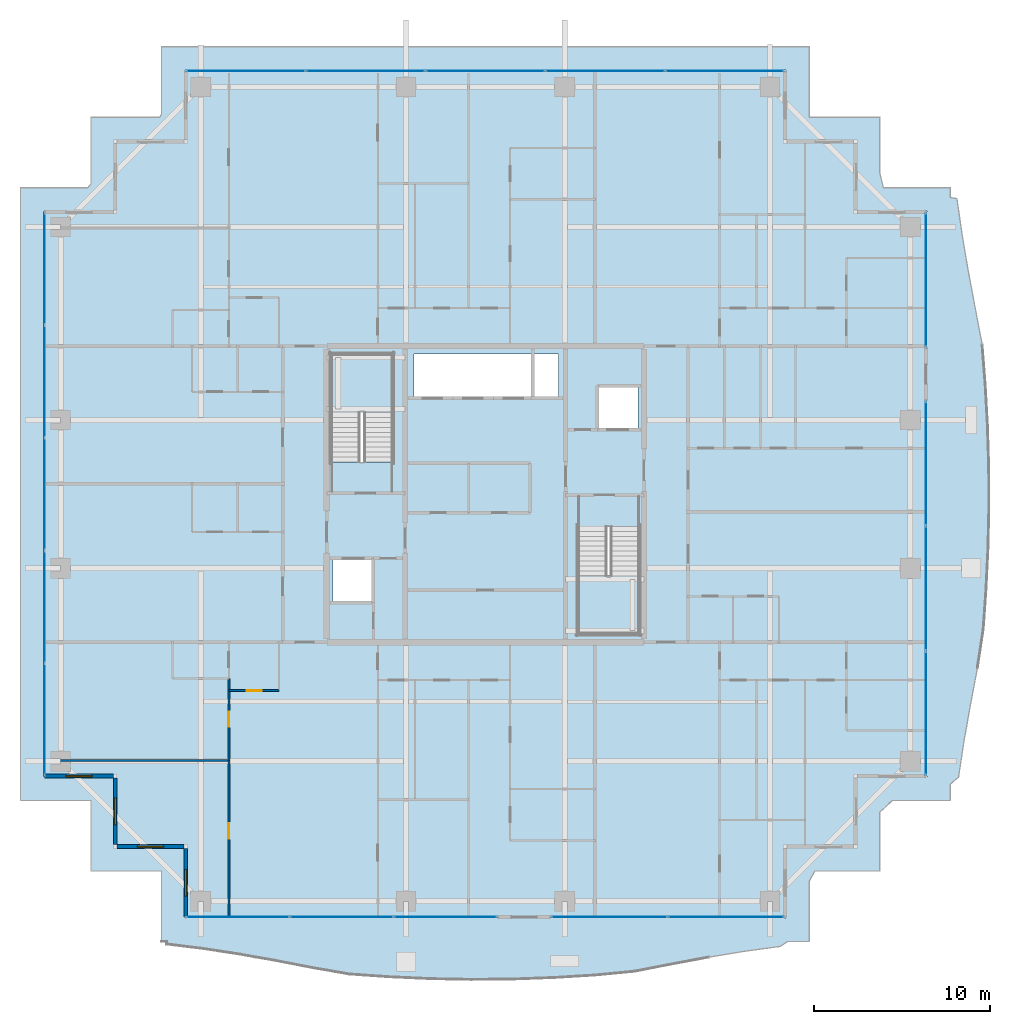
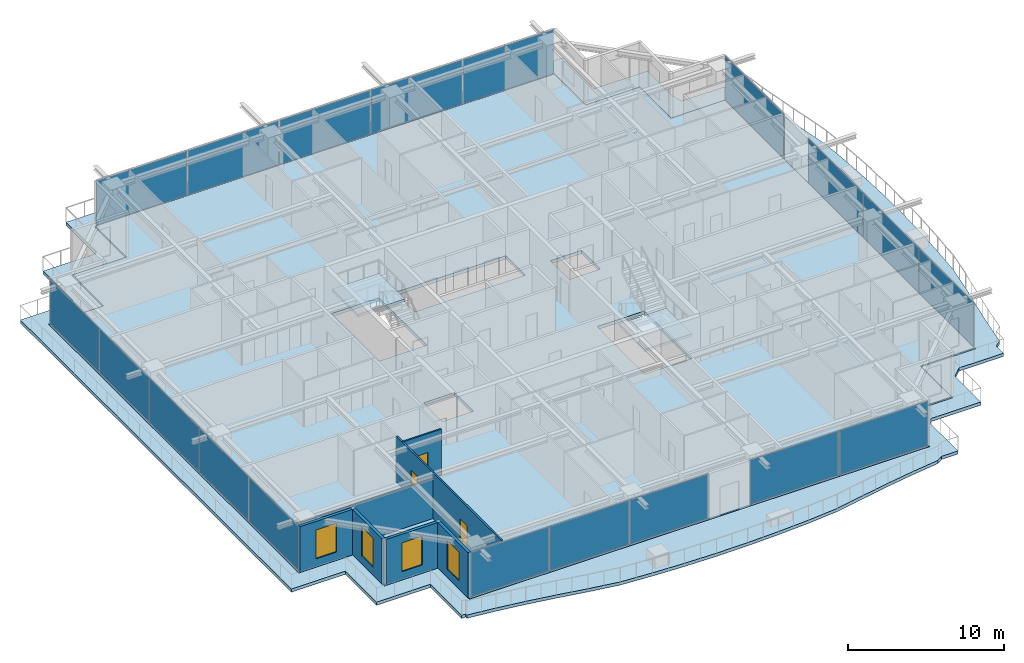
# One storey, part 25 of 38: 19 plates, 8 walls, 4 slabs, 4 windows, 3 doors, 7 openings, 8 elements without a shape of their own.
"""IFC4 building model written with IfcOpenShell, lengths in metres."""

from ifc_helpers import new_model, si_unit, direction, frame, frame_2d, origin, origin_2d, place, context, subcontext, project, spatial, polyline, rectangle, outline, extrude, source, transform, mapped, material, layer, layer_set, type_object, element, fill, aggregate, save


model = new_model("IFC4")

# Units and contexts
model_context = context("Model", 3, precision=1e-05, world=origin(), true_north=direction((0.0, 1.0)))
body_context = subcontext(model_context, "Body", "Model", "MODEL_VIEW")
ifc_project = project(units=[si_unit("LENGTHUNIT", "METRE"), si_unit("AREAUNIT", "SQUARE_METRE"), si_unit("VOLUMEUNIT", "CUBIC_METRE"), si_unit("PLANEANGLEUNIT", "RADIAN"), si_unit("MASSUNIT", "GRAM", prefix="KILO")], contexts=[model_context])

# Site, building, storey
site_placement = place(None, origin())
site = spatial("IfcSite", under=ifc_project, at=site_placement, CompositionType="ELEMENT")
building_placement = place(site_placement, origin())
building = spatial("IfcBuilding", under=site, at=building_placement, Name="Serunith Strait Residences", CompositionType="ELEMENT")
storey_placement = place(building_placement, frame((0.0, 0.0, 245.10009765625)))
storey = spatial("IfcBuildingStorey", under=building, at=storey_placement, Name="L61", CompositionType="ELEMENT", Elevation=245.10009765625)

# Slab
ifc_material_1 = material(Name="Concrete C50/60", Category="concrete")
ifc_layer_1 = layer(ifc_material_1, 0.239990234375, Name="Concrete C50/60")
ifc_layer_set_1 = layer_set([ifc_layer_1], Name="Concrete C50/60")
slab_type_1 = type_object("IfcSlabType", Name="SLB-BALC-240", PredefinedType="FLOOR", material=ifc_layer_set_1)
slab_1_placement = place(storey_placement, frame((0.0, 0.0, -0.2900390625)))
element("IfcSlab", 1, at=slab_1_placement, inside=storey, type_object=slab_type_1, Name="L61 Planted Vertical-Forest Balcony Slab", PredefinedType="FLOOR", context=body_context, shape_type="SweptSolid", body=[
    extrude(outline(polyline([(14.02001953125, -0.179931640625), (14.02001953125, 3.820068359375), (10.02001953125, 3.820068359375), (10.02001953125, 7.820068359375), (6.02001953125, 7.820068359375), (6.02001953125, 42.580078125), (9.824951171875, 42.580078125), (10.02001953125, 42.802001953125), (10.02001953125, 46.580078125), (13.9189453125, 46.580078125), (14.02001953125, 46.734619140625), (14.02001953125, 50.580078125), (50.780029296875, 50.580078125), (50.780029296875, 46.580078125), (54.780029296875, 46.580078125), (54.780029296875, 43.400390625), (54.9814453125, 42.580078125), (58.780029296875, 42.580078125), (58.780029296875, 42.027099609375), (59.15234375, 41.96484375), (59.443359375, 39.938720703125), (59.789794921875, 37.890625), (60.180908203125, 35.802978515625), (60.59130859375, 33.657470703125), (60.7666015625, 31.393310546875), (60.893798828125, 29.09423828125), (60.966064453125, 26.77099609375), (60.975830078125, 24.43798828125), (60.922119140625, 22.110107421875), (60.810791015625, 19.802001953125), (60.65234375, 17.52490234375), (60.31591796875, 15.33642578125), (59.914794921875, 13.231201171875), (59.551513671875, 11.171630859375), (59.241943359375, 9.1396484375), (58.780029296875, 8.75048828125), (58.780029296875, 7.820068359375), (55.484375, 7.820068359375), (54.780029296875, 7.163818359375), (54.780029296875, 3.820068359375), (51.093505859375, 3.820068359375), (50.780029296875, 3.254638671875), (50.780029296875, -0.179931640625), (49.54345703125, -0.179931640625), (49.14697265625, -0.455078125), (47.122314453125, -0.733154296875), (45.0791015625, -1.070556640625), (42.9990234375, -1.459716796875), (40.861572265625, -1.876708984375), (38.607421875, -2.09423828125), (36.305419921875, -2.233642578125), (33.9765625, -2.319091796875), (31.635009765625, -2.341552734375), (29.296875, -2.298095703125), (26.978515625, -2.193115234375), (24.6923828125, -2.03662109375), (22.51416015625, -1.659912109375), (20.413818359375, -1.252197265625), (18.35986328125, -0.8876953125), (16.331787109375, -0.58056640625), (14.314208984375, -0.332763671875), (14.315673828125, -0.179931640625), (14.02001953125, -0.179931640625)]), holes=[polyline([(49.455078125, 1.14501953125), (49.455078125, 5.14501953125), (53.455078125, 5.14501953125), (53.455078125, 9.14501953125), (57.455078125, 9.14501953125), (57.455078125, 41.2548828125), (53.455078125, 41.2548828125), (53.455078125, 45.2548828125), (49.455078125, 45.2548828125), (49.455078125, 49.2548828125), (15.344970703125, 49.2548828125), (15.344970703125, 45.2548828125), (11.344970703125, 45.2548828125), (11.344970703125, 41.2548828125), (7.344970703125, 41.2548828125), (7.344970703125, 9.14501953125), (11.344970703125, 9.14501953125), (11.344970703125, 5.14501953125), (15.344970703125, 5.14501953125), (15.344970703125, 1.14501953125), (49.455078125, 1.14501953125)])]), origin(), (0.0, 0.0, 1.0), 0.239990234375),
])

# Stair, slab
stair_type_1 = type_object("IfcStairType", Name="STR-CORE-1", PredefinedType="HALF_TURN_STAIR", material=ifc_material_1)
stair_1_placement = place(storey_placement, origin())
stair_1 = element("IfcStair", 2, at=stair_1_placement, inside=storey, type_object=stair_type_1, Name="L61 Protected Escape Stair ST-1", PredefinedType="HALF_TURN_STAIR")
ifc_layer_2 = layer(ifc_material_1, 0.199951171875, Name="Concrete C50/60")
ifc_layer_set_2 = layer_set([ifc_layer_2], Name="Concrete C50/60")
slab_type_2 = type_object("IfcSlabType", Name="SLB-LAND-200", PredefinedType="LANDING", material=ifc_layer_set_2)
slab_2_placement = place(storey_placement, frame((0.0, 0.0, 1.724853515625)))
slab_2 = element("IfcSlab", 3, at=slab_2_placement, type_object=slab_type_2, Name="ST-1 landing 1", PredefinedType="LANDING", context=body_context, shape_type="SweptSolid", body=[
    extrude(outline(polyline([(27.14990234375, 29.830078125), (27.14990234375, 33.14990234375), (23.64990234375, 33.14990234375), (23.64990234375, 29.830078125), (27.14990234375, 29.830078125)])), origin(), (0.0, 0.0, 1.0), 0.199951171875),
])
aggregate(stair_1, [slab_2])

stair_type_2 = type_object("IfcStairType", Name="STR-CORE-2", PredefinedType="HALF_TURN_STAIR", material=ifc_material_1)
stair_2_placement = place(storey_placement, origin())
stair_2 = element("IfcStair", 4, at=stair_2_placement, inside=storey, type_object=stair_type_2, Name="L61 Protected Escape Stair ST-2", PredefinedType="HALF_TURN_STAIR")
slab_3_placement = place(storey_placement, frame((0.0, 0.0, 1.724853515625)))
slab_3 = element("IfcSlab", 5, at=slab_3_placement, type_object=slab_type_2, Name="ST-2 landing 1", PredefinedType="LANDING", context=body_context, shape_type="SweptSolid", body=[
    extrude(outline(polyline([(37.64990234375, 20.570068359375), (37.64990234375, 17.25), (41.14990234375, 17.25), (41.14990234375, 20.570068359375), (37.64990234375, 20.570068359375)])), origin(), (0.0, 0.0, 1.0), 0.199951171875),
])
aggregate(stair_2, [slab_3])

# Slab
ifc_material_2 = material(Name="Concrete C60/75", Category="concrete")
ifc_layer_3 = layer(ifc_material_2, 0.260009765625, Name="Concrete C60/75")
ifc_layer_set_3 = layer_set([ifc_layer_3], Name="Concrete C60/75")
slab_type_3 = type_object("IfcSlabType", Name="SLB-TWR-275-Z3", PredefinedType="FLOOR", material=ifc_layer_set_3)
slab_4_placement = place(storey_placement, frame((0.0, 0.0, -0.260009765625)))
element("IfcSlab", 6, at=slab_4_placement, inside=storey, type_object=slab_type_3, Name="L61 Structural Floor Plate", PredefinedType="FLOOR", context=body_context, shape_type="SweptSolid", body=[
    extrude(outline(polyline([(15.39990234375, 5.199951171875), (11.39990234375, 5.199951171875), (11.39990234375, 9.199951171875), (7.39990234375, 9.199951171875), (7.39990234375, 41.199951171875), (11.39990234375, 41.199951171875), (11.39990234375, 45.199951171875), (15.39990234375, 45.199951171875), (15.39990234375, 49.199951171875), (49.39990234375, 49.199951171875), (49.39990234375, 45.199951171875), (53.39990234375, 45.199951171875), (53.39990234375, 41.199951171875), (57.39990234375, 41.199951171875), (57.39990234375, 9.199951171875), (53.39990234375, 9.199951171875), (53.39990234375, 5.199951171875), (49.39990234375, 5.199951171875), (49.39990234375, 1.199951171875), (15.39990234375, 1.199951171875), (15.39990234375, 5.199951171875)]), holes=[polyline([(41.14990234375, 23.3701171875), (37.64990234375, 23.3701171875), (37.64990234375, 17.25), (41.14990234375, 17.25), (41.14990234375, 23.3701171875)]), polyline([(38.75, 31.25), (38.75, 28.85009765625), (41.050048828125, 28.85009765625), (41.050048828125, 31.25), (38.75, 31.25)]), polyline([(36.550048828125, 33.14990234375), (28.35009765625, 33.14990234375), (28.35009765625, 30.64990234375), (36.550048828125, 30.64990234375), (36.550048828125, 33.14990234375)]), polyline([(23.64990234375, 33.14990234375), (23.64990234375, 27.030029296875), (27.14990234375, 27.030029296875), (27.14990234375, 33.14990234375), (23.64990234375, 33.14990234375)]), polyline([(23.75, 21.550048828125), (23.75, 19.14990234375), (26.050048828125, 19.14990234375), (26.050048828125, 21.550048828125), (23.75, 21.550048828125)])]), origin(), (0.0, 0.0, 1.0), 0.260009765625),
])

# Curtain wall, plates
ifc_material_3 = material(Name="Pale-Champagne Anodised Aluminium", Category="aluminium")
ifc_layer_4 = layer(ifc_material_3, 0.199951171875, Name="Pale-Champagne Anodised Aluminium")
ifc_layer_set_4 = layer_set([ifc_layer_4], Name="Pale-Champagne Anodised Aluminium")
curtain_wall_type = type_object("IfcCurtainWallType", Name="CW-SYS4", PredefinedType="NOTDEFINED", material=ifc_layer_set_4)
curtain_wall_1_placement = place(storey_placement, origin())
curtain_wall_1 = element("IfcCurtainWall", 7, at=curtain_wall_1_placement, inside=storey, type_object=curtain_wall_type, Name="L61 W Unitised Fritted Curtain Wall", PredefinedType="NOTDEFINED")
ifc_material_4 = material(Name="Ceramic-Printed Solar-Control Glazing 28mm", Category="glass")
ifc_layer_5 = layer(ifc_material_4, 0.028076171875, Name="Ceramic-Printed Solar-Control Glazing 28mm")
ifc_layer_set_5 = layer_set([ifc_layer_5], Name="Ceramic-Printed Solar-Control Glazing 28mm")
plate_type = type_object("IfcPlateType", Name="CW-SYS4-PNL", PredefinedType="CURTAIN_PANEL", material=ifc_layer_set_5)
shared_shape_1 = source(origin(), body_context, "Body", "SweptSolid", [
    extrude(rectangle(XDim=6.302490234375, YDim=0.028076171875, at=origin_2d()), origin(), (0.0, 0.0, 1.0), 3.455078125),
])
plate_1_placement = place(storey_placement, frame((7.39990234375, 37.983642578125, 0.059814453125), z_axis=(0.0, 0.0, 1.0), x_axis=(0.0, -1.0, 0.0)))
plate_1 = element("IfcPlate", 8, at=plate_1_placement, type_object=plate_type, Name="CW-4 panel 1.1", PredefinedType="CURTAIN_PANEL", context=body_context, shape_type="MappedRepresentation", body=[
    mapped(shared_shape_1, transform((0.0, 0.0, 0.0), scale=1.0)),
])
plate_2_placement = place(storey_placement, frame((7.39990234375, 12.416259765625, 0.059814453125), z_axis=(0.0, 0.0, 1.0), x_axis=(0.0, -1.0, 0.0)))
plate_2 = element("IfcPlate", 9, at=plate_2_placement, type_object=plate_type, Name="CW-4 panel 5.1", PredefinedType="CURTAIN_PANEL", context=body_context, shape_type="MappedRepresentation", body=[
    mapped(shared_shape_1, transform((0.0, 0.0, 0.0), scale=1.0)),
])
shared_shape_2 = source(origin(), body_context, "Body", "SweptSolid", [
    extrude(rectangle(XDim=6.3349609375, YDim=0.028076171875, at=origin_2d()), origin(), (0.0, 0.0, 1.0), 3.455078125),
])
plate_3_placement = place(storey_placement, frame((7.39990234375, 31.60009765625, 0.059814453125), z_axis=(0.0, 0.0, 1.0), x_axis=(0.0, -1.0, 0.0)))
plate_3 = element("IfcPlate", 10, at=plate_3_placement, type_object=plate_type, Name="CW-4 panel 2.1", PredefinedType="CURTAIN_PANEL", context=body_context, shape_type="MappedRepresentation", body=[
    mapped(shared_shape_2, transform((0.0, 0.0, 0.0), scale=1.0)),
])
plate_4_placement = place(storey_placement, frame((7.39990234375, 25.199951171875, 0.059814453125), z_axis=(0.0, 0.0, 1.0), x_axis=(0.0, -1.0, 0.0)))
plate_4 = element("IfcPlate", 11, at=plate_4_placement, type_object=plate_type, Name="CW-4 panel 3.1", PredefinedType="CURTAIN_PANEL", context=body_context, shape_type="MappedRepresentation", body=[
    mapped(shared_shape_2, transform((0.0, 0.0, 0.0), scale=1.0)),
])
plate_5_placement = place(storey_placement, frame((7.39990234375, 18.800048828125, 0.059814453125), z_axis=(0.0, 0.0, 1.0), x_axis=(0.0, -1.0, 0.0)))
plate_5 = element("IfcPlate", 12, at=plate_5_placement, type_object=plate_type, Name="CW-4 panel 4.1", PredefinedType="CURTAIN_PANEL", context=body_context, shape_type="MappedRepresentation", body=[
    mapped(shared_shape_2, transform((0.0, 0.0, 0.0), scale=1.0)),
])
aggregate(curtain_wall_1, [plate_1, plate_3, plate_4, plate_5, plate_2])

curtain_wall_2_placement = place(storey_placement, origin())
curtain_wall_2 = element("IfcCurtainWall", 13, at=curtain_wall_2_placement, inside=storey, type_object=curtain_wall_type, Name="L61 N Unitised Fritted Curtain Wall", PredefinedType="NOTDEFINED")
shared_shape_3 = source(origin(), body_context, "Body", "SweptSolid", [
    extrude(rectangle(XDim=6.702392578125, YDim=0.028076171875, at=origin_2d()), origin(), (0.0, 0.0, 1.0), 3.455078125),
])
plate_6_placement = place(storey_placement, frame((45.983642578125, 49.199951171875, 0.059814453125), z_axis=(0.0, 0.0, 1.0), x_axis=(-1.0, 0.0, 0.0)))
plate_6 = element("IfcPlate", 14, at=plate_6_placement, type_object=plate_type, Name="CW-4 panel 1.1", PredefinedType="CURTAIN_PANEL", context=body_context, shape_type="MappedRepresentation", body=[
    mapped(shared_shape_3, transform((0.0, 0.0, 0.0), scale=1.0)),
])
plate_7_placement = place(storey_placement, frame((18.816162109375, 49.199951171875, 0.059814453125), z_axis=(0.0, 0.0, 1.0), x_axis=(-1.0, 0.0, 0.0)))
plate_7 = element("IfcPlate", 15, at=plate_7_placement, type_object=plate_type, Name="CW-4 panel 5.1", PredefinedType="CURTAIN_PANEL", context=body_context, shape_type="MappedRepresentation", body=[
    mapped(shared_shape_3, transform((0.0, 0.0, 0.0), scale=1.0)),
])
shared_shape_4 = source(origin(), body_context, "Body", "SweptSolid", [
    extrude(rectangle(XDim=6.735107421875, YDim=0.028076171875, at=origin_2d()), origin(), (0.0, 0.0, 1.0), 3.455078125),
])
plate_8_placement = place(storey_placement, frame((39.199951171875, 49.199951171875, 0.059814453125), z_axis=(0.0, 0.0, 1.0), x_axis=(-1.0, 0.0, 0.0)))
plate_8 = element("IfcPlate", 16, at=plate_8_placement, type_object=plate_type, Name="CW-4 panel 2.1", PredefinedType="CURTAIN_PANEL", context=body_context, shape_type="MappedRepresentation", body=[
    mapped(shared_shape_4, transform((0.0, 0.0, 0.0), scale=1.0)),
])
plate_9_placement = place(storey_placement, frame((32.39990234375, 49.199951171875, 0.059814453125), z_axis=(0.0, 0.0, 1.0), x_axis=(-1.0, 0.0, 0.0)))
plate_9 = element("IfcPlate", 17, at=plate_9_placement, type_object=plate_type, Name="CW-4 panel 3.1", PredefinedType="CURTAIN_PANEL", context=body_context, shape_type="MappedRepresentation", body=[
    mapped(shared_shape_4, transform((0.0, 0.0, 0.0), scale=1.0)),
])
plate_10_placement = place(storey_placement, frame((25.60009765625, 49.199951171875, 0.059814453125), z_axis=(0.0, 0.0, 1.0), x_axis=(-1.0, 0.0, 0.0)))
plate_10 = element("IfcPlate", 18, at=plate_10_placement, type_object=plate_type, Name="CW-4 panel 4.1", PredefinedType="CURTAIN_PANEL", context=body_context, shape_type="MappedRepresentation", body=[
    mapped(shared_shape_4, transform((0.0, 0.0, 0.0), scale=1.0)),
])
aggregate(curtain_wall_2, [plate_6, plate_8, plate_9, plate_10, plate_7])

curtain_wall_3_placement = place(storey_placement, origin())
curtain_wall_3 = element("IfcCurtainWall", 19, at=curtain_wall_3_placement, inside=storey, type_object=curtain_wall_type, Name="L61 S Unitised Fritted Curtain Wall", PredefinedType="NOTDEFINED")
shared_shape_5 = source(origin(), body_context, "Body", "SweptSolid", [
    extrude(rectangle(XDim=6.552490234375, YDim=0.028076171875, at=origin_2d()), origin(), (0.0, 0.0, 1.0), 3.455078125),
])
plate_11_placement = place(storey_placement, frame((39.441162109375, 1.199951171875, 0.059814453125), z_axis=(0.0, 0.0, 1.0), x_axis=(1.0, 0.0, 0.0)))
plate_11 = element("IfcPlate", 20, at=plate_11_placement, type_object=plate_type, Name="CW-4 panel 1.1", PredefinedType="CURTAIN_PANEL", context=body_context, shape_type="MappedRepresentation", body=[
    mapped(shared_shape_5, transform((0.0, 0.0, 0.0), scale=1.0)),
])
plate_12_placement = place(storey_placement, frame((46.058837890625, 1.199951171875, 0.059814453125), z_axis=(0.0, 0.0, 1.0), x_axis=(1.0, 0.0, 0.0)))
plate_12 = element("IfcPlate", 21, at=plate_12_placement, type_object=plate_type, Name="CW-4 panel 2.1", PredefinedType="CURTAIN_PANEL", context=body_context, shape_type="MappedRepresentation", body=[
    mapped(shared_shape_5, transform((0.0, 0.0, 0.0), scale=1.0)),
])
aggregate(curtain_wall_3, [plate_11, plate_12])

curtain_wall_4_placement = place(storey_placement, origin())
curtain_wall_4 = element("IfcCurtainWall", 22, at=curtain_wall_4_placement, inside=storey, type_object=curtain_wall_type, Name="L61 S Unitised Fritted Curtain Wall", PredefinedType="NOTDEFINED")
shared_shape_6 = source(origin(), body_context, "Body", "SweptSolid", [
    extrude(rectangle(XDim=5.802490234375, YDim=0.028076171875, at=origin_2d()), origin(), (0.0, 0.0, 1.0), 3.455078125),
])
plate_13_placement = place(storey_placement, frame((18.3662109375, 1.199951171875, 0.059814453125), z_axis=(0.0, 0.0, 1.0), x_axis=(1.0, 0.0, 0.0)))
plate_13 = element("IfcPlate", 23, at=plate_13_placement, type_object=plate_type, Name="CW-4 panel 1.1", PredefinedType="CURTAIN_PANEL", context=body_context, shape_type="MappedRepresentation", body=[
    mapped(shared_shape_6, transform((0.0, 0.0, 0.0), scale=1.0)),
])
plate_14_placement = place(storey_placement, frame((30.1337890625, 1.199951171875, 0.059814453125), z_axis=(0.0, 0.0, 1.0), x_axis=(1.0, 0.0, 0.0)))
plate_14 = element("IfcPlate", 24, at=plate_14_placement, type_object=plate_type, Name="CW-4 panel 3.1", PredefinedType="CURTAIN_PANEL", context=body_context, shape_type="MappedRepresentation", body=[
    mapped(shared_shape_6, transform((0.0, 0.0, 0.0), scale=1.0)),
])
shared_shape_7 = source(origin(), body_context, "Body", "SweptSolid", [
    extrude(rectangle(XDim=5.8349609375, YDim=0.028076171875, at=origin_2d()), origin(), (0.0, 0.0, 1.0), 3.455078125),
])
plate_15_placement = place(storey_placement, frame((24.25, 1.199951171875, 0.059814453125), z_axis=(0.0, 0.0, 1.0), x_axis=(1.0, 0.0, 0.0)))
plate_15 = element("IfcPlate", 25, at=plate_15_placement, type_object=plate_type, Name="CW-4 panel 2.1", PredefinedType="CURTAIN_PANEL", context=body_context, shape_type="MappedRepresentation", body=[
    mapped(shared_shape_7, transform((0.0, 0.0, 0.0), scale=1.0)),
])
aggregate(curtain_wall_4, [plate_13, plate_15, plate_14])

curtain_wall_5_placement = place(storey_placement, origin())
curtain_wall_5 = element("IfcCurtainWall", 26, at=curtain_wall_5_placement, inside=storey, type_object=curtain_wall_type, Name="L61 E Unitised Fritted Curtain Wall", PredefinedType="NOTDEFINED")
shared_shape_8 = source(origin(), body_context, "Body", "SweptSolid", [
    extrude(rectangle(XDim=7.00244140625, YDim=0.028076171875, at=origin_2d()), origin(), (0.0, 0.0, 1.0), 3.455078125),
])
plate_16_placement = place(storey_placement, frame((57.39990234375, 12.766357421875, 0.059814453125), z_axis=(0.0, 0.0, 1.0), x_axis=(0.0, 1.0, 0.0)))
plate_16 = element("IfcPlate", 27, at=plate_16_placement, type_object=plate_type, Name="CW-4 panel 1.1", PredefinedType="CURTAIN_PANEL", context=body_context, shape_type="MappedRepresentation", body=[
    mapped(shared_shape_8, transform((0.0, 0.0, 0.0), scale=1.0)),
])
plate_17_placement = place(storey_placement, frame((57.39990234375, 26.933837890625, 0.059814453125), z_axis=(0.0, 0.0, 1.0), x_axis=(0.0, 1.0, 0.0)))
plate_17 = element("IfcPlate", 28, at=plate_17_placement, type_object=plate_type, Name="CW-4 panel 3.1", PredefinedType="CURTAIN_PANEL", context=body_context, shape_type="MappedRepresentation", body=[
    mapped(shared_shape_8, transform((0.0, 0.0, 0.0), scale=1.0)),
])
shared_shape_9 = source(origin(), body_context, "Body", "SweptSolid", [
    extrude(rectangle(XDim=7.034912109375, YDim=0.028076171875, at=origin_2d()), origin(), (0.0, 0.0, 1.0), 3.455078125),
])
plate_18_placement = place(storey_placement, frame((57.39990234375, 19.85009765625, 0.059814453125), z_axis=(0.0, 0.0, 1.0), x_axis=(0.0, 1.0, 0.0)))
plate_18 = element("IfcPlate", 29, at=plate_18_placement, type_object=plate_type, Name="CW-4 panel 2.1", PredefinedType="CURTAIN_PANEL", context=body_context, shape_type="MappedRepresentation", body=[
    mapped(shared_shape_9, transform((0.0, 0.0, 0.0), scale=1.0)),
])
aggregate(curtain_wall_5, [plate_16, plate_18, plate_17])

# Curtain wall, plate
curtain_wall_6_placement = place(storey_placement, origin())
curtain_wall_6 = element("IfcCurtainWall", 30, at=curtain_wall_6_placement, inside=storey, type_object=curtain_wall_type, Name="L61 E Unitised Fritted Curtain Wall", PredefinedType="NOTDEFINED")
shared_shape_10 = source(origin(), body_context, "Body", "SweptSolid", [
    extrude(rectangle(XDim=7.570068359375, YDim=0.028076171875, at=origin_2d()), origin(), (0.0, 0.0, 1.0), 3.455078125),
])
plate_19_placement = place(storey_placement, frame((57.39990234375, 37.35009765625, 0.059814453125), z_axis=(0.0, 0.0, 1.0), x_axis=(0.0, 1.0, 0.0)))
plate_19 = element("IfcPlate", 31, at=plate_19_placement, type_object=plate_type, Name="CW-4 panel 1.1", PredefinedType="CURTAIN_PANEL", context=body_context, shape_type="MappedRepresentation", body=[
    mapped(shared_shape_10, transform((0.0, 0.0, 0.0), scale=1.0)),
])
aggregate(curtain_wall_6, [plate_19])

# Wall, opening, window
ifc_material_5 = material(Name="Pale-Champagne Aluminium Insulated Panel", Category="aluminium")
ifc_layer_6 = layer(ifc_material_5, 0.219970703125, Name="Pale-Champagne Aluminium Insulated Panel")
ifc_layer_set_6 = layer_set([ifc_layer_6], Name="Pale-Champagne Aluminium Insulated Panel")
wall_type_1 = type_object("IfcWallType", Name="EW-ALUM-220", PredefinedType="ELEMENTEDWALL", material=ifc_layer_set_6)
wall_1_placement = place(storey_placement, frame((7.39990234375, 9.199951171875, 0.0), z_axis=(0.0, 0.0, 1.0), x_axis=(1.0, 0.0, 0.0)))
wall_1 = element("IfcWall", 32, at=wall_1_placement, inside=storey, type_object=wall_type_1, Name="L61 Girih Serrated Corner Wall 17", PredefinedType="ELEMENTEDWALL", context=body_context, shape_type="SweptSolid", body=[
    extrude(rectangle(XDim=3.89013671875, YDim=0.219970703125, at=frame_2d((1.945068359375, 0.0))), origin(), (0.0, 0.0, 1.0), 3.574951171875),
])
opening_1_placement = place(wall_1_placement, frame((1.195068359375, 0.0, 0.64990234375)))
opening_1 = element("IfcOpeningElement", 33, at=opening_1_placement, cuts=wall_1, Name="Opening W-05", PredefinedType="OPENING", context=body_context, shape_type="SweptSolid", body=[
    extrude(rectangle(XDim=1.5, YDim=2.25, at=frame_2d((0.75, 1.125))), frame((0.0, 0.1201171875, 0.0), z_axis=(0.0, -1.0, 0.0), x_axis=(1.0, 0.0, 0.0)), (0.0, 0.0, 1.0), 0.239990234375),
])
ifc_material_6 = material(Name="Ceramic-Fritted Operable Aluminium Window Glass", Category="aluminium")
window_type = type_object("IfcWindowType", Name="WIN-C5", PartitioningType="DOUBLE_PANEL_VERTICAL", PredefinedType="WINDOW", material=ifc_material_6)
shared_shape_11 = source(origin(), body_context, "Body", "SweptSolid", [
    extrude(rectangle(XDim=1.5, YDim=2.25, at=frame_2d((0.75, 1.125))), frame((0.0, 0.030029296875, 0.0), z_axis=(0.0, -1.0, 0.0), x_axis=(1.0, 0.0, 0.0)), (0.0, 0.0, 1.0), 0.06005859375),
])
window_1_placement = place(opening_1_placement, origin())
window_1 = element("IfcWindow", 34, at=window_1_placement, inside=storey, type_object=window_type, Name="L61 Corner Operable Fritted Window 17", OverallHeight=2.25, OverallWidth=1.5, PartitioningType="SINGLE_PANEL", PredefinedType="WINDOW", context=body_context, shape_type="MappedRepresentation", body=[
    mapped(shared_shape_11, transform((0.0, 0.0, 0.0), scale=1.0)),
])
fill(opening_1, window_1)

wall_2_placement = place(storey_placement, frame((11.39990234375, 9.090087890625, 0.0), z_axis=(0.0, 0.0, 1.0), x_axis=(0.0, -1.0, 0.0)))
wall_2 = element("IfcWall", 35, at=wall_2_placement, inside=storey, type_object=wall_type_1, Name="L61 Girih Serrated Corner Wall 18", PredefinedType="ELEMENTEDWALL", context=body_context, shape_type="SweptSolid", body=[
    extrude(rectangle(XDim=3.780029296875, YDim=0.219970703125, at=frame_2d((1.89013671875, 0.0))), origin(), (0.0, 0.0, 1.0), 3.574951171875),
])
opening_2_placement = place(wall_2_placement, frame((1.139892578125, 0.0, 0.64990234375)))
opening_2 = element("IfcOpeningElement", 36, at=opening_2_placement, cuts=wall_2, Name="Opening W-05", PredefinedType="OPENING", context=body_context, shape_type="SweptSolid", body=[
    extrude(rectangle(XDim=1.5, YDim=2.25, at=frame_2d((0.75, 1.125))), frame((0.0, 0.1201171875, 0.0), z_axis=(0.0, -1.0, 0.0), x_axis=(1.0, 0.0, 0.0)), (0.0, 0.0, 1.0), 0.239990234375),
])
window_2_placement = place(opening_2_placement, origin())
window_2 = element("IfcWindow", 37, at=window_2_placement, inside=storey, type_object=window_type, Name="L61 Corner Operable Fritted Window 18", OverallHeight=2.25, OverallWidth=1.5, PartitioningType="SINGLE_PANEL", PredefinedType="WINDOW", context=body_context, shape_type="MappedRepresentation", body=[
    mapped(shared_shape_11, transform((0.0, 0.0, 0.0), scale=1.0)),
])
fill(opening_2, window_2)

wall_3_placement = place(storey_placement, frame((11.510009765625, 5.199951171875, 0.0), z_axis=(0.0, 0.0, 1.0), x_axis=(1.0, 0.0, 0.0)))
wall_3 = element("IfcWall", 38, at=wall_3_placement, inside=storey, type_object=wall_type_1, Name="L61 Girih Serrated Corner Wall 19", PredefinedType="ELEMENTEDWALL", context=body_context, shape_type="SweptSolid", body=[
    extrude(rectangle(XDim=3.780029296875, YDim=0.219970703125, at=frame_2d((1.89013671875, 0.0))), origin(), (0.0, 0.0, 1.0), 3.574951171875),
])
opening_3_placement = place(wall_3_placement, frame((1.139892578125, 0.0, 0.64990234375)))
opening_3 = element("IfcOpeningElement", 39, at=opening_3_placement, cuts=wall_3, Name="Opening W-05", PredefinedType="OPENING", context=body_context, shape_type="SweptSolid", body=[
    extrude(rectangle(XDim=1.5, YDim=2.25, at=frame_2d((0.75, 1.125))), frame((0.0, 0.1201171875, 0.0), z_axis=(0.0, -1.0, 0.0), x_axis=(1.0, 0.0, 0.0)), (0.0, 0.0, 1.0), 0.239990234375),
])
window_3_placement = place(opening_3_placement, origin())
window_3 = element("IfcWindow", 40, at=window_3_placement, inside=storey, type_object=window_type, Name="L61 Corner Operable Fritted Window 19", OverallHeight=2.25, OverallWidth=1.5, PartitioningType="SINGLE_PANEL", PredefinedType="WINDOW", context=body_context, shape_type="MappedRepresentation", body=[
    mapped(shared_shape_11, transform((0.0, 0.0, 0.0), scale=1.0)),
])
fill(opening_3, window_3)

wall_4_placement = place(storey_placement, frame((15.39990234375, 5.090087890625, 0.0), z_axis=(0.0, 0.0, 1.0), x_axis=(0.0, -1.0, 0.0)))
wall_4 = element("IfcWall", 41, at=wall_4_placement, inside=storey, type_object=wall_type_1, Name="L61 Girih Serrated Corner Wall 20", PredefinedType="ELEMENTEDWALL", context=body_context, shape_type="SweptSolid", body=[
    extrude(rectangle(XDim=3.89013671875, YDim=0.219970703125, at=frame_2d((1.945068359375, 0.0))), origin(), (0.0, 0.0, 1.0), 3.574951171875),
])
opening_4_placement = place(wall_4_placement, frame((1.195068359375, 0.0, 0.64990234375)))
opening_4 = element("IfcOpeningElement", 42, at=opening_4_placement, cuts=wall_4, Name="Opening W-05", PredefinedType="OPENING", context=body_context, shape_type="SweptSolid", body=[
    extrude(rectangle(XDim=1.5, YDim=2.25, at=frame_2d((0.75, 1.125))), frame((0.0, 0.1201171875, 0.0), z_axis=(0.0, -1.0, 0.0), x_axis=(1.0, 0.0, 0.0)), (0.0, 0.0, 1.0), 0.239990234375),
])
window_4_placement = place(opening_4_placement, origin())
window_4 = element("IfcWindow", 43, at=window_4_placement, inside=storey, type_object=window_type, Name="L61 Corner Operable Fritted Window 20", OverallHeight=2.25, OverallWidth=1.5, PartitioningType="SINGLE_PANEL", PredefinedType="WINDOW", context=body_context, shape_type="MappedRepresentation", body=[
    mapped(shared_shape_11, transform((0.0, 0.0, 0.0), scale=1.0)),
])
fill(opening_4, window_4)

# Wall, opening, door
ifc_material_7 = material(Name="Lightweight steel-stud gypsum partition", Category="steel")
ifc_layer_7 = layer(ifc_material_7, 0.1201171875, Name="Lightweight steel-stud gypsum partition")
ifc_layer_set_7 = layer_set([ifc_layer_7], Name="Lightweight steel-stud gypsum partition")
wall_type_2 = type_object("IfcWallType", Name="IW-PART-120", PredefinedType="PARTITIONING", material=ifc_layer_set_7)
wall_5_placement = place(storey_placement, frame((17.85009765625, 14.050048828125, 0.0), z_axis=(0.0, 0.0, 1.0), x_axis=(1.0, 0.0, 0.0)))
wall_5 = element("IfcWall", 44, at=wall_5_placement, inside=storey, type_object=wall_type_2, Name="L61 Partition Wall 032", PredefinedType="PARTITIONING", context=body_context, shape_type="SweptSolid", body=[
    extrude(rectangle(XDim=2.849853515625, YDim=0.1201171875, at=frame_2d((1.4248046875, 0.0))), origin(), (0.0, 0.0, 1.0), 3.58984375),
])
opening_5_placement = place(wall_5_placement, frame((1.0, 0.0, 0.0)))
opening_5 = element("IfcOpeningElement", 45, at=opening_5_placement, cuts=wall_5, Name="Opening D-RM850", PredefinedType="OPENING", context=body_context, shape_type="SweptSolid", body=[
    extrude(rectangle(XDim=0.85009765625, YDim=2.10009765625, at=frame_2d((0.425048828125, 1.050048828125))), frame((0.0, 0.070068359375, 0.0), z_axis=(0.0, -1.0, 0.0), x_axis=(1.0, 0.0, 0.0)), (0.0, 0.0, 1.0), 0.14013671875),
])
ifc_material_8 = material(Name="Engineered timber flush study and kitchen door", Category="wood")
door_type_1 = type_object("IfcDoorType", Name="ID-ROOM-850", OperationType="NOTDEFINED", PredefinedType="DOOR", material=ifc_material_8)
shared_shape_12 = source(origin(), body_context, "Body", "SweptSolid", [
    extrude(rectangle(XDim=0.85009765625, YDim=2.10009765625, at=frame_2d((0.425048828125, 1.050048828125))), frame((0.0, 0.02490234375, 0.0), z_axis=(0.0, -1.0, 0.0), x_axis=(1.0, 0.0, 0.0)), (0.0, 0.0, 1.0), 0.050048828125),
])
door_1_placement = place(opening_5_placement, origin())
door_1 = element("IfcDoor", 46, at=door_1_placement, inside=storey, type_object=door_type_1, Name="L61 Kitchen 6101 Door", OperationType="SINGLE_SWING_LEFT", OverallHeight=2.10009765625, OverallWidth=0.85009765625, PredefinedType="DOOR", context=body_context, shape_type="MappedRepresentation", body=[
    mapped(shared_shape_12, transform((0.0, 0.0, 0.0), scale=1.0)),
])
fill(opening_5, door_1)

wall_6_placement = place(storey_placement, frame((17.85009765625, 1.294921875, 0.0), z_axis=(0.0, 0.0, 1.0), x_axis=(0.0, 1.0, 0.0)))
wall_6 = element("IfcWall", 47, at=wall_6_placement, inside=storey, type_object=wall_type_2, Name="L61 Partition Wall 034", PredefinedType="PARTITIONING", context=body_context, shape_type="SweptSolid", body=[
    extrude(rectangle(XDim=8.799072265625, YDim=0.1201171875, at=frame_2d((4.3994140625, 0.0))), origin(), (0.0, 0.0, 1.0), 3.58984375),
])
opening_6_placement = place(wall_6_placement, frame((4.343994140625, 0.0, 0.0)))
opening_6 = element("IfcOpeningElement", 48, at=opening_6_placement, cuts=wall_6, Name="Opening D-RM900", PredefinedType="OPENING", context=body_context, shape_type="SweptSolid", body=[
    extrude(rectangle(XDim=0.89990234375, YDim=2.10009765625, at=frame_2d((0.449951171875, 1.050048828125))), frame((0.0, 0.070068359375, 0.0), z_axis=(0.0, -1.0, 0.0), x_axis=(1.0, 0.0, 0.0)), (0.0, 0.0, 1.0), 0.14013671875),
])
ifc_material_9 = material(Name="Engineered timber flush bedroom door", Category="wood")
door_type_2 = type_object("IfcDoorType", Name="ID-ROOM-900", OperationType="NOTDEFINED", PredefinedType="DOOR", material=ifc_material_9)
shared_shape_13 = source(origin(), body_context, "Body", "SweptSolid", [
    extrude(rectangle(XDim=0.89990234375, YDim=2.10009765625, at=frame_2d((0.449951171875, 1.050048828125))), frame((0.0, 0.02490234375, 0.0), z_axis=(0.0, -1.0, 0.0), x_axis=(1.0, 0.0, 0.0)), (0.0, 0.0, 1.0), 0.050048828125),
])
door_2_placement = place(opening_6_placement, origin())
door_2 = element("IfcDoor", 49, at=door_2_placement, inside=storey, type_object=door_type_2, Name="L61 Master Bedroom 1 6101 Door", OperationType="SINGLE_SWING_RIGHT", OverallHeight=2.10009765625, OverallWidth=0.89990234375, PredefinedType="DOOR", context=body_context, shape_type="MappedRepresentation", body=[
    mapped(shared_shape_13, transform((0.0, 0.0, 0.0), scale=1.0)),
])
fill(opening_6, door_2)

# Wall
wall_7_placement = place(storey_placement, frame((7.4951171875, 10.093994140625, 0.0), z_axis=(0.0, 0.0, 1.0), x_axis=(1.0, 0.0, 0.0)))
element("IfcWall", 50, at=wall_7_placement, inside=storey, type_object=wall_type_2, Name="L61 Partition Wall 035", PredefinedType="PARTITIONING", context=body_context, shape_type="SweptSolid", body=[
    extrude(rectangle(XDim=10.35498046875, YDim=0.1201171875, at=frame_2d((5.177490234375, 0.0))), origin(), (0.0, 0.0, 1.0), 3.121826171875),
])

# Wall, opening, door
wall_8_placement = place(storey_placement, frame((17.85009765625, 10.095947265625, 0.0), z_axis=(0.0, 0.0, 1.0), x_axis=(0.0, 1.0, 0.0)))
wall_8 = element("IfcWall", 51, at=wall_8_placement, inside=storey, type_object=wall_type_2, Name="L61 Partition Wall 038", PredefinedType="PARTITIONING", context=body_context, shape_type="SweptSolid", body=[
    extrude(rectangle(XDim=4.654052734375, YDim=0.1201171875, at=frame_2d((2.3271484375, 0.0))), origin(), (0.0, 0.0, 1.0), 3.58984375),
])
opening_7_placement = place(wall_8_placement, frame((1.902099609375, 0.0, 0.0)))
opening_7 = element("IfcOpeningElement", 52, at=opening_7_placement, cuts=wall_8, Name="Opening D-RM850", PredefinedType="OPENING", context=body_context, shape_type="SweptSolid", body=[
    extrude(rectangle(XDim=0.85009765625, YDim=2.10009765625, at=frame_2d((0.425048828125, 1.050048828125))), frame((0.0, 0.070068359375, 0.0), z_axis=(0.0, -1.0, 0.0), x_axis=(1.0, 0.0, 0.0)), (0.0, 0.0, 1.0), 0.14013671875),
])
door_3_placement = place(opening_7_placement, origin())
door_3 = element("IfcDoor", 53, at=door_3_placement, inside=storey, type_object=door_type_1, Name="L61 Walk-in Wardrobe 6101 Door", OperationType="SINGLE_SWING_LEFT", OverallHeight=2.10009765625, OverallWidth=0.85009765625, PredefinedType="DOOR", context=body_context, shape_type="MappedRepresentation", body=[
    mapped(shared_shape_12, transform((0.0, 0.0, 0.0), scale=1.0)),
])
fill(opening_7, door_3)

save(model, "model.ifc")
